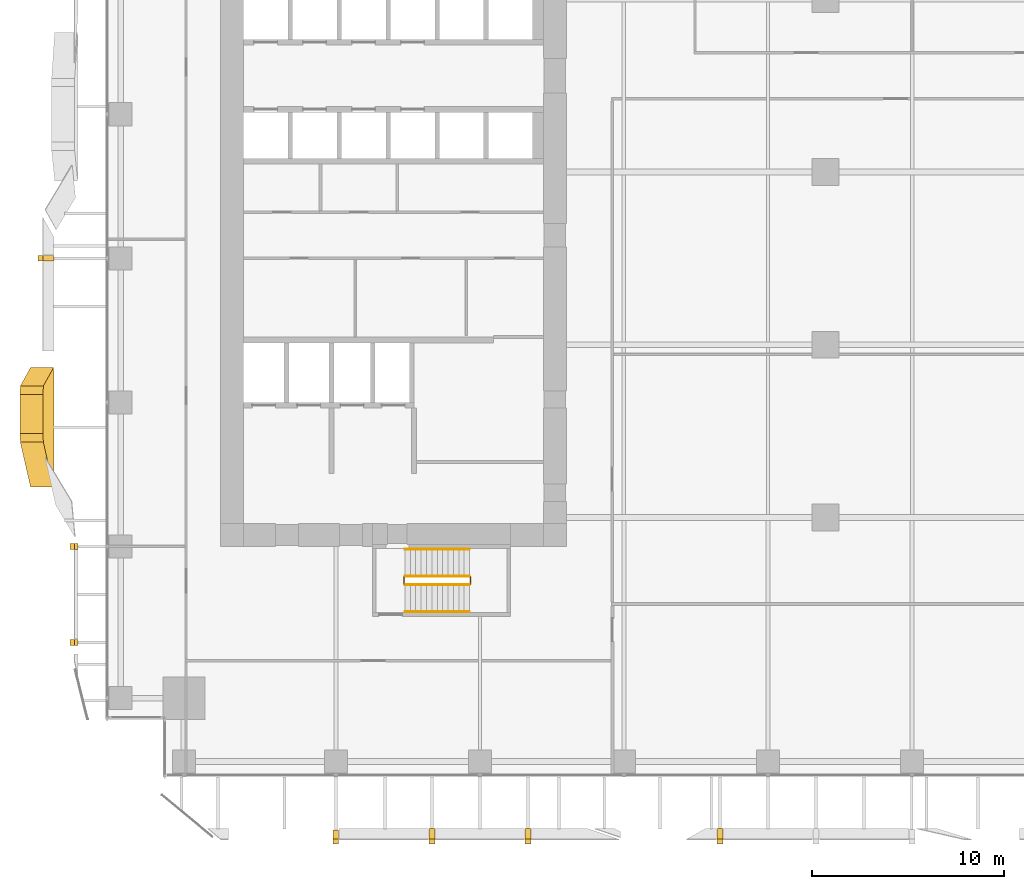
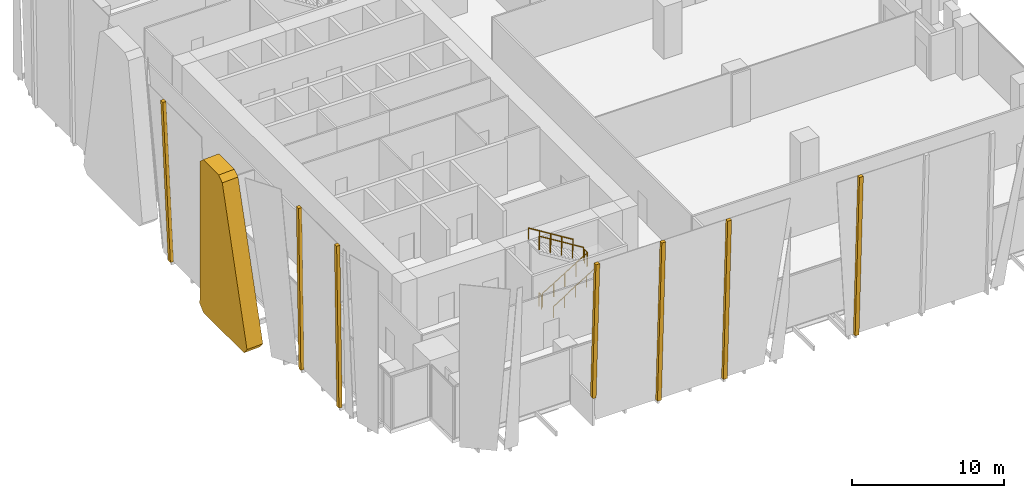
# One storey, part 30 of 34: 8 coverings, 6 railings.
"""IFC4 building model written with IfcOpenShell, lengths in metres."""

from ifc_helpers import new_model, si_unit, direction, frame, origin, origin_2d, place, context, subcontext, project, spatial, polyline, circle, outline, extrude, source, transform, mapped, material, layer, layer_set, type_object, element, save


model = new_model("IFC4")

# Units and contexts
model_context = context("Model", 3, precision=1e-05, world=origin(), true_north=direction((0.0, 1.0)))
body_context = subcontext(model_context, "Body", "Model", "MODEL_VIEW")
ifc_project = project(units=[si_unit("LENGTHUNIT", "METRE"), si_unit("AREAUNIT", "SQUARE_METRE"), si_unit("VOLUMEUNIT", "CUBIC_METRE"), si_unit("PLANEANGLEUNIT", "RADIAN"), si_unit("MASSUNIT", "GRAM", prefix="KILO")], contexts=[model_context])

# Site, building, storey
site_placement = place(None, origin())
site = spatial("IfcSite", under=ifc_project, at=site_placement, CompositionType="ELEMENT")
building_placement = place(site_placement, origin())
building = spatial("IfcBuilding", under=site, at=building_placement, Name="Khomas Fold Tower", CompositionType="ELEMENT")
storey_placement = place(building_placement, frame((0.0, 0.0, 73.5)))
storey = spatial("IfcBuildingStorey", under=building, at=storey_placement, Name="L15", CompositionType="ELEMENT", Elevation=73.5)

# Coverings
ifc_material_1 = material(Name="Natural stone cladding", Category="masonry")
ifc_layer_1 = layer(ifc_material_1, 0.25)
ifc_layer_set_1 = layer_set([ifc_layer_1], Name="Natural stone cladding")
covering_type_1 = type_object("IfcCoveringType", Name="SK-Karibib marble stone mullion", PredefinedType="CLADDING", material=ifc_layer_set_1)
covering_1_placement = place(storey_placement, frame((11.85009765625, -3.245361328125, 13.050048828125), z_axis=(3.483467e-06, 0.999041608971, 0.04377057838), x_axis=(0.999999999994, -3.480129e-06, -1.52473e-07)))
element("IfcCovering", 1, at=covering_1_placement, inside=storey, type_object=covering_type_1, Name="OUTER SKIN mullion L15 SM100-4", PredefinedType="CLADDING", context=body_context, shape_type="SweptSolid", body=[
    extrude(outline(polyline([(0.0, 0.0), (0.299804687498181, 0.0), (0.29980468749872313, 11.060649248255993), (0.044677734375271075, 11.060649248255993), (-6.733843155619777e-12, 10.831914497348649), (0.0, 0.0)])), origin(), (0.0, 0.0, -1.0), 0.25),
])
for number, where, z_axis, x_axis, name in (
    (2, (16.85009765625, -2.673828125, 0.0), (0.0, 0.99904235518, 0.043753543365), (0.0, -0.043753543365, 0.99904235518), "OUTER SKIN mullion L15 SM101-6"),
    (3, (21.85009765625, -2.673828125, 0.0), (0.0, 0.99904235518, 0.043753543365), (0.0, -0.043753543365, 0.99904235518), "OUTER SKIN mullion L15 SM102-8"),
    (4, (31.85009765625, -2.673828125, 0.0), (0.0, 0.99904235518, 0.043753543365), (0.0, -0.043753543365, 0.99904235518), "OUTER SKIN mullion L15 SM104-12"),
):
    element("IfcCovering", number, at=place(storey_placement, frame(where, z_axis=z_axis, x_axis=x_axis)), inside=storey, type_object=covering_type_1, Name=name, PredefinedType="CLADDING", context=body_context, shape_type="SweptSolid", body=[
        extrude(outline(polyline([(0.0, 0.0), (13.062558119247587, 0.0), (13.062558119247587, 0.2998046875), (0.0, 0.2998046875), (0.0, 0.0)])), origin(), (0.0, 0.0, -1.0), 0.25),
    ])
covering_2_placement = place(storey_placement, frame((-1.43212890625, 6.85009765625, 0.0), z_axis=(0.999913772879, 0.0, 0.013131900334), x_axis=(-0.013131900334, 0.0, 0.999913772879)))
element("IfcCovering", 5, at=covering_2_placement, inside=storey, type_object=covering_type_1, Name="OUTER SKIN mullion L15 WM099-3", PredefinedType="CLADDING", context=body_context, shape_type="SweptSolid", body=[
    extrude(outline(polyline([(0.0, 0.0), (13.051174193298111, 0.0), (13.051174193298111, -0.29980468749999994), (0.0, -0.29980468749999994), (0.0, 0.0)])), origin(), (0.0, 0.0, -1.0), 0.25),
])
covering_3_placement = place(storey_placement, frame((-1.43212890625, 12.107666015625, 0.0), z_axis=(0.999913769323, -5.1937975e-05, 0.013132068384), x_axis=(-5.1933496e-05, -0.999999998651, -6.82053e-07)))
element("IfcCovering", 6, at=covering_3_placement, inside=storey, type_object=covering_type_1, Name="OUTER SKIN mullion L15 WM100-5", PredefinedType="CLADDING", context=body_context, shape_type="SweptSolid", body=[
    extrude(outline(polyline([(0.0, 0.0), (0.25756835902759784, 0.0), (0.2575683589136631, -13.051174193297927), (-0.042236328181967375, -13.051174193297927), (-0.042236329685510846, -0.2998301326854592), (0.0, 0.0)])), origin(), (0.0, 0.0, -1.0), 0.25),
])
covering_4_placement = place(storey_placement, frame((-2.673828125, 26.85009765625, 0.0), z_axis=(0.99904235518, 0.0, 0.043753543365), x_axis=(-0.043753543365, 0.0, 0.99904235518)))
element("IfcCovering", 7, at=covering_4_placement, inside=storey, type_object=covering_type_1, Name="OUTER SKIN mullion L15 WM103-8", PredefinedType="CLADDING", context=body_context, shape_type="SweptSolid", body=[
    extrude(outline(polyline([(0.0, 0.0), (13.062558119247587, 0.0), (13.062558119247587, -0.2998046875), (0.0, -0.2998046875), (0.0, 0.0)])), origin(), (0.0, 0.0, -1.0), 0.25),
])
ifc_material_2 = material(Name="Natural stone cladding", Category="masonry")
ifc_layer_2 = layer(ifc_material_2, 1.199951171875)
ifc_layer_set_2 = layer_set([ifc_layer_2], Name="Natural stone cladding")
covering_type_2 = type_object("IfcCoveringType", Name="SK-Karibib marble stone panel", PredefinedType="CLADDING", material=ifc_layer_set_2)
covering_5_placement = place(storey_placement, frame((-3.22705078125, 20.358642578125, 12.63525390625), z_axis=(0.999042542607, -4.573657e-06, 0.04374926332), x_axis=(0.04361629192, 0.078011555588, -0.995997899734)))
element("IfcCovering", 8, at=covering_5_placement, inside=storey, type_object=covering_type_2, Name="OUTER SKIN leaf L15 WS05-1", PredefinedType="CLADDING", context=body_context, shape_type="SweptSolid", body=[
    extrude(outline(polyline([(0.0, 0.0), (12.198963969682973, -1.1102230246251565e-16), (12.648069247161828, -0.48499978821530837), (12.232490110706117, -5.795913500177478), (11.664223636596127, -6.194691975263469), (-0.27819797433616655, -2.9193230183626864), (-0.6082005665370173, -2.4502549660197115), (-0.4489206252822455, -0.41472923856143384), (0.0, 0.0)])), origin(), (0.0, 0.0, -1.0), 1.199951171875),
])

# Railings
ifc_material_3 = material(Name="Steel balustrade", Category="steel")
railing_type_1 = type_object("IfcRailingType", Name="Stair guard", PredefinedType="GUARDRAIL", material=ifc_material_3)
shared_shape_1 = source(origin(), body_context, "Body", "SweptSolid", [
    extrude(circle(Radius=0.02392578125, at=origin_2d()), frame((0.0, 0.0, 1.076171875), z_axis=(0.850606129759, 0.0, 0.525803396734), x_axis=(0.0, 1.0, 0.0)), (0.0, 0.0, 1.0), 3.949951171875),
    extrude(circle(Radius=0.02099609375, at=origin_2d()), origin(), (0.0, 0.0, 1.0), 1.052001953125),
    extrude(circle(Radius=0.02099609375, at=origin_2d()), frame((0.83984375, 0.0, 0.519287109375)), (0.0, 0.0, 1.0), 1.052001953125),
    extrude(circle(Radius=0.02099609375, at=origin_2d()), frame((1.679931640625, 0.0, 1.03857421875)), (0.0, 0.0, 1.0), 1.052001953125),
    extrude(circle(Radius=0.02099609375, at=origin_2d()), frame((2.52001953125, 0.0, 1.5576171875)), (0.0, 0.0, 1.0), 1.052001953125),
    extrude(circle(Radius=0.02099609375, at=origin_2d()), frame((3.35986328125, 0.0, 2.076904296875)), (0.0, 0.0, 1.0), 1.052001953125),
])
railing_1_placement = place(storey_placement, frame((15.60009765625, 10.0, 0.173095703125)))
element("IfcRailing", 9, at=railing_1_placement, inside=storey, type_object=railing_type_1, Name="L15 ST2 stair guard 1", PredefinedType="GUARDRAIL", context=body_context, shape_type="MappedRepresentation", body=[
    mapped(shared_shape_1, transform((0.0, 0.0, 0.0))),
])
shared_shape_2 = source(origin(), body_context, "Body", "SweptSolid", [
    extrude(circle(Radius=0.02392578125, at=origin_2d()), frame((0.0, 0.0, 1.076171875), z_axis=(0.0, 1.0, 0.0), x_axis=(-1.0, 0.0, 0.0)), (0.0, 0.0, 1.0), 0.349853515625),
    extrude(circle(Radius=0.02099609375, at=origin_2d()), origin(), (0.0, 0.0, 1.0), 1.052001953125),
    extrude(circle(Radius=0.02099609375, at=origin_2d()), frame((0.0, 0.349853515625, 0.0)), (0.0, 0.0, 1.0), 1.052001953125),
])
for number, where, name in (
    (10, (19.010009765625, 10.050048828125, 2.25), "L15 ST2 stair guard 2"),
    (11, (15.550048828125, 10.050048828125, 0.0), "L15 ST2 stair guard 4"),
):
    element("IfcRailing", number, at=place(storey_placement, frame(where)), inside=storey, type_object=railing_type_1, Name=name, PredefinedType="GUARDRAIL", context=body_context, shape_type="MappedRepresentation", body=[
        mapped(shared_shape_2, transform((0.0, 0.0, 0.0))),
    ])
shared_shape_3 = source(origin(), body_context, "Body", "SweptSolid", [
    extrude(circle(Radius=0.02392578125, at=origin_2d()), frame((0.0, 0.0, 1.076171875), z_axis=(-0.850606129759, 0.0, 0.525803396734), x_axis=(0.0, -1.0, 0.0)), (0.0, 0.0, 1.0), 3.949951171875),
    extrude(circle(Radius=0.02099609375, at=origin_2d()), origin(), (0.0, 0.0, 1.0), 1.052001953125),
    extrude(circle(Radius=0.02099609375, at=origin_2d()), frame((-0.83984375, 0.0, 0.519287109375)), (0.0, 0.0, 1.0), 1.052001953125),
    extrude(circle(Radius=0.02099609375, at=origin_2d()), frame((-1.679931640625, 0.0, 1.03857421875)), (0.0, 0.0, 1.0), 1.052001953125),
    extrude(circle(Radius=0.02099609375, at=origin_2d()), frame((-2.52001953125, 0.0, 1.5576171875)), (0.0, 0.0, 1.0), 1.052001953125),
    extrude(circle(Radius=0.02099609375, at=origin_2d()), frame((-3.35986328125, 0.0, 2.076904296875)), (0.0, 0.0, 1.0), 1.052001953125),
])
railing_2_placement = place(storey_placement, frame((18.9599609375, 10.449951171875, 2.423095703125)))
element("IfcRailing", 12, at=railing_2_placement, inside=storey, type_object=railing_type_1, Name="L15 ST2 stair guard 3", PredefinedType="GUARDRAIL", context=body_context, shape_type="MappedRepresentation", body=[
    mapped(shared_shape_3, transform((0.0, 0.0, 0.0))),
])
ifc_material_4 = material(Name="Steel handrail", Category="steel")
railing_type_2 = type_object("IfcRailingType", Name="Stair handrail", PredefinedType="HANDRAIL", material=ifc_material_4)
shared_shape_4 = source(origin(), body_context, "Body", "SweptSolid", [
    extrude(circle(Radius=0.02392578125, at=origin_2d()), frame((0.0, 0.0, 0.8759765625), z_axis=(0.850606129759, 0.0, 0.525803396734), x_axis=(0.0, 1.0, 0.0)), (0.0, 0.0, 1.0), 3.949951171875),
    extrude(circle(Radius=0.02099609375, at=origin_2d()), origin(), (0.0, 0.0, 1.0), 0.851806640625),
    extrude(circle(Radius=0.02099609375, at=origin_2d()), frame((0.83984375, 0.0, 0.519287109375)), (0.0, 0.0, 1.0), 0.851806640625),
    extrude(circle(Radius=0.02099609375, at=origin_2d()), frame((1.679931640625, 0.0, 1.03857421875)), (0.0, 0.0, 1.0), 0.851806640625),
    extrude(circle(Radius=0.02099609375, at=origin_2d()), frame((2.52001953125, 0.0, 1.5576171875)), (0.0, 0.0, 1.0), 0.851806640625),
    extrude(circle(Radius=0.02099609375, at=origin_2d()), frame((3.35986328125, 0.0, 2.076904296875)), (0.0, 0.0, 1.0), 0.851806640625),
])
railing_3_placement = place(storey_placement, frame((15.60009765625, 8.60009765625, 0.173095703125)))
element("IfcRailing", 13, at=railing_3_placement, inside=storey, type_object=railing_type_2, Name="L15 ST2 stair handrail 1", PredefinedType="HANDRAIL", context=body_context, shape_type="MappedRepresentation", body=[
    mapped(shared_shape_4, transform((0.0, 0.0, 0.0))),
])
shared_shape_5 = source(origin(), body_context, "Body", "SweptSolid", [
    extrude(circle(Radius=0.02392578125, at=origin_2d()), frame((0.0, 0.0, 0.8759765625), z_axis=(-0.850606129759, 0.0, 0.525803396734), x_axis=(0.0, -1.0, 0.0)), (0.0, 0.0, 1.0), 3.949951171875),
    extrude(circle(Radius=0.02099609375, at=origin_2d()), origin(), (0.0, 0.0, 1.0), 0.851806640625),
    extrude(circle(Radius=0.02099609375, at=origin_2d()), frame((-0.83984375, 0.0, 0.519287109375)), (0.0, 0.0, 1.0), 0.851806640625),
    extrude(circle(Radius=0.02099609375, at=origin_2d()), frame((-1.679931640625, 0.0, 1.03857421875)), (0.0, 0.0, 1.0), 0.851806640625),
    extrude(circle(Radius=0.02099609375, at=origin_2d()), frame((-2.52001953125, 0.0, 1.5576171875)), (0.0, 0.0, 1.0), 0.851806640625),
    extrude(circle(Radius=0.02099609375, at=origin_2d()), frame((-3.35986328125, 0.0, 2.076904296875)), (0.0, 0.0, 1.0), 0.851806640625),
])
railing_4_placement = place(storey_placement, frame((18.9599609375, 11.85009765625, 2.423095703125)))
element("IfcRailing", 14, at=railing_4_placement, inside=storey, type_object=railing_type_2, Name="L15 ST2 stair handrail 2", PredefinedType="HANDRAIL", context=body_context, shape_type="MappedRepresentation", body=[
    mapped(shared_shape_5, transform((0.0, 0.0, 0.0))),
])

save(model, "model.ifc")
